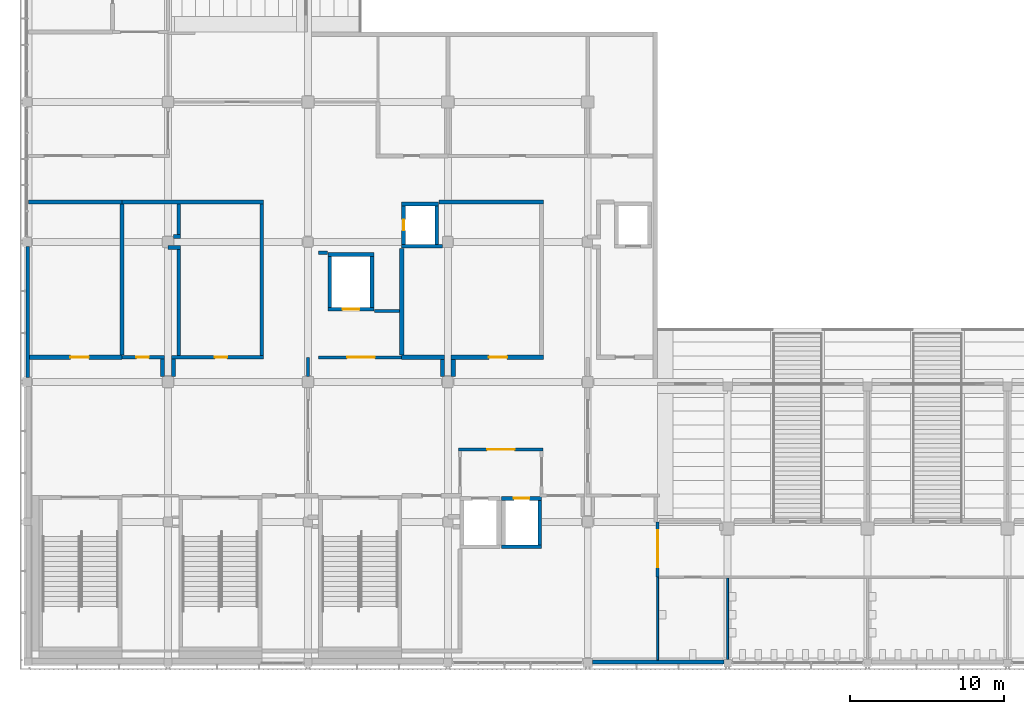
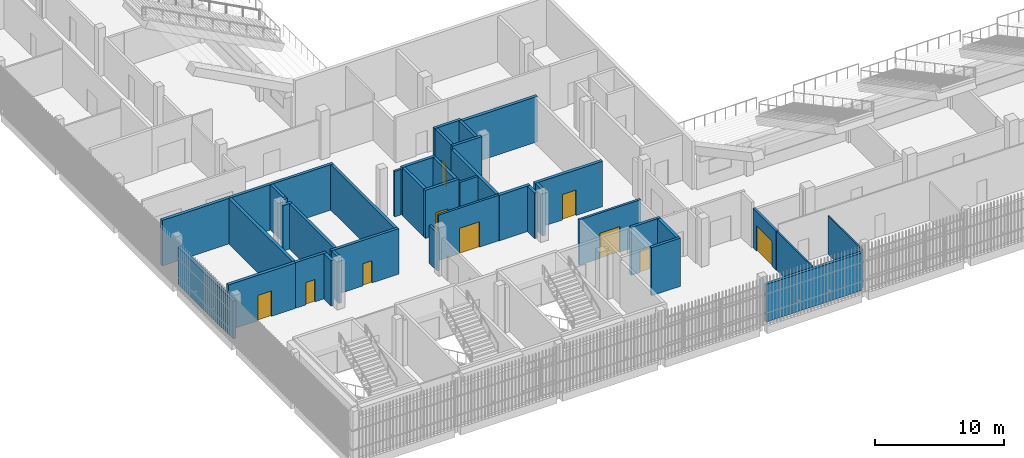
# One storey, part 74 of 139: 40 walls, 10 doors, 10 openings.
"""IFC4 building model written with IfcOpenShell, lengths in metres."""

from ifc_helpers import new_model, si_unit, direction, frame, frame_2d, origin, place, context, subcontext, project, spatial, rectangle, extrude, material, layer, layer_set, type_object, element, fill, save


model = new_model("IFC4")

# Units and contexts
model_context = context("Model", 3, precision=1e-05, world=origin(), true_north=direction((0.0, 1.0)))
body_context = subcontext(model_context, "Body", "Model", "MODEL_VIEW")
ifc_project = project(units=[si_unit("LENGTHUNIT", "METRE"), si_unit("AREAUNIT", "SQUARE_METRE"), si_unit("VOLUMEUNIT", "CUBIC_METRE"), si_unit("PLANEANGLEUNIT", "RADIAN"), si_unit("MASSUNIT", "GRAM", prefix="KILO")], contexts=[model_context])

# Site, building, storey
site_placement = place(None, origin())
site = spatial("IfcSite", under=ifc_project, at=site_placement, CompositionType="ELEMENT")
building_placement = place(site_placement, origin())
building = spatial("IfcBuilding", under=site, at=building_placement, Name="Shirokan Park Arena", CompositionType="ELEMENT")
storey_placement = place(building_placement, frame((0.0, 0.0, 15.469970703125)))
storey = spatial("IfcBuildingStorey", under=building, at=storey_placement, Name="L03", CompositionType="ELEMENT", Elevation=15.469970703125)

# Wall, opening, door
ifc_material_1 = material(Name="Plaster")
ifc_layer_1 = layer(ifc_material_1, 0.014892578125, Name="Plaster")
ifc_material_2 = material(Name="Concrete blockwork", Category="masonry")
ifc_layer_2 = layer(ifc_material_2, 0.219970703125, Name="Concrete blockwork 220")
ifc_layer_3 = layer(ifc_material_1, 0.014892578125, Name="Plaster")
ifc_layer_set_1 = layer_set([ifc_layer_1, ifc_layer_2, ifc_layer_3], Name="Plaster + Concrete blockwork 220")
wall_type_1 = type_object("IfcWallType", Name="Compartment wall 250", PredefinedType="SOLIDWALL", material=ifc_layer_set_1)
wall_1_placement = place(storey_placement, frame((6.10009765625, 19.800048828125, 0.0), z_axis=(0.0, 0.0, 1.0), x_axis=(1.0, 0.0, 0.0)))
wall_1 = element("IfcWall", 1, at=wall_1_placement, inside=storey, type_object=wall_type_1, Name="Compartment wall 250 L03", PredefinedType="SOLIDWALL", context=body_context, shape_type="SweptSolid", body=[
    extrude(rectangle(XDim=2.77490234375, YDim=0.25, at=frame_2d((1.387451171875, 0.0))), origin(), (0.0, 0.0, 1.0), 4.300048828125),
])
opening_1_placement = place(wall_1_placement, frame((0.949951171875, 0.0, 0.0)))
opening_1 = element("IfcOpeningElement", 2, at=opening_1_placement, cuts=wall_1, Name="Opening D-3001", PredefinedType="OPENING", context=body_context, shape_type="SweptSolid", body=[
    extrude(rectangle(XDim=0.800048828125, YDim=2.10009765625, at=frame_2d((0.39990234375, 1.050048828125))), frame((0.0, 0.135009765625, 0.0), z_axis=(0.0, -1.0, 0.0), x_axis=(1.0, 0.0, 0.0)), (0.0, 0.0, 1.0), 0.27001953125),
])
ifc_material_3 = material(Name="Timber door set, fire resisting", Category="wood")
door_type_1 = type_object("IfcDoorType", Name="Cleaner store door 800 x 2100", OperationType="SINGLE_SWING_LEFT", PredefinedType="DOOR", material=ifc_material_3)
door_1_placement = place(opening_1_placement, origin())
door_1 = element("IfcDoor", 3, at=door_1_placement, inside=storey, type_object=door_type_1, Name="Door to Cleaner's Store 3.17 D-3001", OperationType="SINGLE_SWING_RIGHT", OverallHeight=2.10009765625, OverallWidth=0.800048828125, PredefinedType="DOOR", context=body_context, shape_type="SweptSolid", body=[
    extrude(rectangle(XDim=0.800048828125, YDim=2.10009765625, at=frame_2d((0.39990234375, 1.050048828125))), frame((0.0, 0.02490234375, 0.0), z_axis=(0.0, -1.0, 0.0), x_axis=(1.0, 0.0, 0.0)), (0.0, 0.0, 1.0), 0.050048828125),
])
fill(opening_1, door_1)

# Walls
wall_2_placement = place(storey_placement, frame((6.10009765625, 29.89990234375, 0.0), z_axis=(0.0, 0.0, 1.0), x_axis=(1.0, 0.0, 0.0)))
element("IfcWall", 4, at=wall_2_placement, inside=storey, type_object=wall_type_1, Name="Compartment wall 250 L03", PredefinedType="SOLIDWALL", context=body_context, shape_type="SweptSolid", body=[
    extrude(rectangle(XDim=9.224853515625, YDim=0.25, at=frame_2d((4.6123046875, 0.0))), origin(), (0.0, 0.0, 1.0), 4.300048828125),
])
wall_3_placement = place(storey_placement, frame((8.75, 19.675048828125, 0.0), z_axis=(0.0, 0.0, 1.0), x_axis=(0.0, -1.0, 0.0)))
element("IfcWall", 5, at=wall_3_placement, inside=storey, type_object=wall_type_1, Name="Compartment wall 250 L03", PredefinedType="SOLIDWALL", context=body_context, shape_type="SweptSolid", body=[
    extrude(rectangle(XDim=1.125, YDim=0.25, at=frame_2d((0.5625, 0.0))), origin(), (0.0, 0.0, 1.0), 4.300048828125),
])
wall_4_placement = place(storey_placement, frame((9.10009765625, 26.949951171875, 0.0), z_axis=(0.0, 0.0, 1.0), x_axis=(1.0, 0.0, 0.0)))
element("IfcWall", 6, at=wall_4_placement, inside=storey, type_object=wall_type_1, Name="Compartment wall 250 L03", PredefinedType="SOLIDWALL", context=body_context, shape_type="SweptSolid", body=[
    extrude(rectangle(XDim=0.824951171875, YDim=0.25, at=frame_2d((0.41259765625, 0.0))), origin(), (0.0, 0.0, 1.0), 4.300048828125),
])

# Wall, opening, door
wall_5_placement = place(storey_placement, frame((9.324951171875, 19.800048828125, 0.0), z_axis=(0.0, 0.0, 1.0), x_axis=(1.0, 0.0, 0.0)))
wall_5 = element("IfcWall", 7, at=wall_5_placement, inside=storey, type_object=wall_type_1, Name="Compartment wall 250 L03", PredefinedType="SOLIDWALL", context=body_context, shape_type="SweptSolid", body=[
    extrude(rectangle(XDim=6.0, YDim=0.25, at=frame_2d((3.0, 0.0))), origin(), (0.0, 0.0, 1.0), 4.300048828125),
])
opening_2_placement = place(wall_5_placement, frame((2.824951171875, 0.0, 0.0)))
opening_2 = element("IfcOpeningElement", 8, at=opening_2_placement, cuts=wall_5, Name="Opening D-3005", PredefinedType="OPENING", context=body_context, shape_type="SweptSolid", body=[
    extrude(rectangle(XDim=0.800048828125, YDim=2.10009765625, at=frame_2d((0.39990234375, 1.050048828125))), frame((0.0, 0.135009765625, 0.0), z_axis=(0.0, -1.0, 0.0), x_axis=(1.0, 0.0, 0.0)), (0.0, 0.0, 1.0), 0.27001953125),
])
door_2_placement = place(opening_2_placement, origin())
door_2 = element("IfcDoor", 9, at=door_2_placement, inside=storey, type_object=door_type_1, Name="Door to Cleaner's Store 3.16 D-3005", OperationType="SINGLE_SWING_RIGHT", OverallHeight=2.10009765625, OverallWidth=0.800048828125, PredefinedType="DOOR", context=body_context, shape_type="SweptSolid", body=[
    extrude(rectangle(XDim=0.800048828125, YDim=2.10009765625, at=frame_2d((0.39990234375, 1.050048828125))), frame((0.0, 0.02490234375, 0.0), z_axis=(0.0, -1.0, 0.0), x_axis=(1.0, 0.0, 0.0)), (0.0, 0.0, 1.0), 0.050048828125),
])
fill(opening_2, door_2)

# Walls
wall_6_placement = place(storey_placement, frame((9.449951171875, 18.550048828125, 0.0), z_axis=(0.0, 0.0, 1.0), x_axis=(0.0, 1.0, 0.0)))
element("IfcWall", 10, at=wall_6_placement, inside=storey, type_object=wall_type_1, Name="Compartment wall 250 L03", PredefinedType="SOLIDWALL", context=body_context, shape_type="SweptSolid", body=[
    extrude(rectangle(XDim=1.125, YDim=0.25, at=frame_2d((0.5625, 0.0))), origin(), (0.0, 0.0, 1.0), 4.300048828125),
])
wall_7_placement = place(storey_placement, frame((9.449951171875, 27.64990234375, 0.0), z_axis=(0.0, 0.0, 1.0), x_axis=(1.0, 0.0, 0.0)))
element("IfcWall", 11, at=wall_7_placement, inside=storey, type_object=wall_type_1, Name="Compartment wall 250 L03", PredefinedType="SOLIDWALL", context=body_context, shape_type="SweptSolid", body=[
    extrude(rectangle(XDim=0.47509765625, YDim=0.25, at=frame_2d((0.237548828125, 0.0))), origin(), (0.0, 0.0, 1.0), 4.300048828125),
])
wall_8_placement = place(storey_placement, frame((9.800048828125, 19.925048828125, 0.0), z_axis=(0.0, 0.0, 1.0), x_axis=(0.0, 1.0, 0.0)))
element("IfcWall", 12, at=wall_8_placement, inside=storey, type_object=wall_type_1, Name="Compartment wall 250 L03", PredefinedType="SOLIDWALL", context=body_context, shape_type="SweptSolid", body=[
    extrude(rectangle(XDim=6.89990234375, YDim=0.25, at=frame_2d((3.449951171875, 0.0))), origin(), (0.0, 0.0, 1.0), 4.300048828125),
])
wall_9_placement = place(storey_placement, frame((9.800048828125, 27.77490234375, 0.0), z_axis=(0.0, 0.0, 1.0), x_axis=(0.0, 1.0, 0.0)))
element("IfcWall", 13, at=wall_9_placement, inside=storey, type_object=wall_type_1, Name="Compartment wall 250 L03", PredefinedType="SOLIDWALL", context=body_context, shape_type="SweptSolid", body=[
    extrude(rectangle(XDim=2.0, YDim=0.25, at=frame_2d((1.0, 0.0))), origin(), (0.0, 0.0, 1.0), 4.300048828125),
])
wall_10_placement = place(storey_placement, frame((15.199951171875, 29.77490234375, 0.0), z_axis=(0.0, 0.0, 1.0), x_axis=(0.0, -1.0, 0.0)))
element("IfcWall", 14, at=wall_10_placement, inside=storey, type_object=wall_type_1, Name="Compartment wall 250 L03", PredefinedType="SOLIDWALL", context=body_context, shape_type="SweptSolid", body=[
    extrude(rectangle(XDim=9.849853515625, YDim=0.25, at=frame_2d((4.9248046875, 0.0))), origin(), (0.0, 0.0, 1.0), 4.300048828125),
])
ifc_material_4 = material(Name="Gypsum board")
ifc_layer_4 = layer(ifc_material_4, 0.02490234375, Name="Gypsum board, two layers")
ifc_material_5 = material(Name="Mineral wool insulation")
ifc_layer_5 = layer(ifc_material_5, 0.14990234375, Name="Mineral wool insulation")
ifc_layer_6 = layer(ifc_material_4, 0.02490234375, Name="Gypsum board, two layers")
ifc_layer_set_2 = layer_set([ifc_layer_4, ifc_layer_5, ifc_layer_6], Name="Gypsum board, two layers + Mineral wool insulation")
wall_type_2 = type_object("IfcWallType", Name="Corridor wall 200", PredefinedType="PARTITIONING", material=ifc_layer_set_2)
wall_11_placement = place(storey_placement, frame((18.199951171875, 19.800048828125, 0.0), z_axis=(0.0, 0.0, 1.0), x_axis=(0.0, -1.0, 0.0)))
element("IfcWall", 15, at=wall_11_placement, inside=storey, type_object=wall_type_2, Name="Corridor wall 200 L03", PredefinedType="PARTITIONING", context=body_context, shape_type="SweptSolid", body=[
    extrude(rectangle(XDim=1.25, YDim=0.199951171875, at=frame_2d((0.625, 0.0))), origin(), (0.0, 0.0, 1.0), 3.550048828125),
])

# Wall, opening, door
wall_12_placement = place(storey_placement, frame((18.89990234375, 19.800048828125, 0.0), z_axis=(0.0, 0.0, 1.0), x_axis=(1.0, 0.0, 0.0)))
wall_12 = element("IfcWall", 16, at=wall_12_placement, inside=storey, type_object=wall_type_2, Name="Corridor wall 200 L03", PredefinedType="PARTITIONING", context=body_context, shape_type="SweptSolid", body=[
    extrude(rectangle(XDim=5.400146484375, YDim=0.199951171875, at=frame_2d((2.7001953125, 0.0))), origin(), (0.0, 0.0, 1.0), 4.300048828125),
])
opening_3_placement = place(wall_12_placement, frame((1.85009765625, 0.0, 0.0)))
opening_3 = element("IfcOpeningElement", 17, at=opening_3_placement, cuts=wall_12, Name="Opening D-3091", PredefinedType="OPENING", context=body_context, shape_type="SweptSolid", body=[
    extrude(rectangle(XDim=1.800048828125, YDim=2.39990234375, at=frame_2d((0.89990234375, 1.199951171875))), frame((0.0, 0.10986328125, 0.0), z_axis=(0.0, -1.0, 0.0), x_axis=(1.0, 0.0, 0.0)), (0.0, 0.0, 1.0), 0.219970703125),
])
ifc_material_6 = material(Name="Glazed steel door set, fire resisting", Category="steel")
door_type_2 = type_object("IfcDoorType", Name="Lift lobby door 1800 x 2400", OperationType="DOUBLE_DOOR_SINGLE_SWING", PredefinedType="DOOR", material=ifc_material_6)
door_3_placement = place(opening_3_placement, origin())
door_3 = element("IfcDoor", 18, at=door_3_placement, inside=storey, type_object=door_type_2, Name="Door between Press Foyer 1.3.2 and Service Lift Lobby 1.3 D-3091", OperationType="DOUBLE_DOOR_SINGLE_SWING", OverallHeight=2.39990234375, OverallWidth=1.800048828125, PredefinedType="DOOR", context=body_context, shape_type="SweptSolid", body=[
    extrude(rectangle(XDim=1.800048828125, YDim=2.39990234375, at=frame_2d((0.89990234375, 1.199951171875))), frame((0.0, 0.02490234375, 0.0), z_axis=(0.0, -1.0, 0.0), x_axis=(1.0, 0.0, 0.0)), (0.0, 0.0, 1.0), 0.050048828125),
])
fill(opening_3, door_3)

# Walls
wall_13_placement = place(storey_placement, frame((18.89990234375, 26.60009765625, 0.0), z_axis=(0.0, 0.0, 1.0), x_axis=(1.0, 0.0, 0.0)))
element("IfcWall", 19, at=wall_13_placement, inside=storey, type_object=wall_type_2, Name="Corridor wall 200 L03", PredefinedType="PARTITIONING", context=body_context, shape_type="SweptSolid", body=[
    extrude(rectangle(XDim=0.570068359375, YDim=0.199951171875, at=frame_2d((0.28515625, 0.0))), origin(), (0.0, 0.0, 1.0), 4.300048828125),
])
wall_14_placement = place(storey_placement, frame((22.530029296875, 22.800048828125, 0.0), z_axis=(0.0, 0.0, 1.0), x_axis=(1.0, 0.0, 0.0)))
element("IfcWall", 20, at=wall_14_placement, inside=storey, type_object=wall_type_2, Name="Corridor wall 200 L03", PredefinedType="PARTITIONING", context=body_context, shape_type="SweptSolid", body=[
    extrude(rectangle(XDim=1.632568359375, YDim=0.199951171875, at=frame_2d((0.81640625, 0.0))), origin(), (0.0, 0.0, 1.0), 4.300048828125),
])

# Wall, opening, door
wall_15_placement = place(storey_placement, frame((33.5, 13.800048828125, 0.0), z_axis=(0.0, 0.0, 1.0), x_axis=(-1.0, 0.0, 0.0)))
wall_15 = element("IfcWall", 21, at=wall_15_placement, inside=storey, type_object=wall_type_2, Name="Corridor wall 200 L03", PredefinedType="PARTITIONING", context=body_context, shape_type="SweptSolid", body=[
    extrude(rectangle(XDim=5.5, YDim=0.199951171875, at=frame_2d((2.75, 0.0))), origin(), (0.0, 0.0, 1.0), 4.300048828125),
])
opening_4_placement = place(wall_15_placement, frame((1.85009765625, 0.0, 0.0)))
opening_4 = element("IfcOpeningElement", 22, at=opening_4_placement, cuts=wall_15, Name="Opening D-3088", PredefinedType="OPENING", context=body_context, shape_type="SweptSolid", body=[
    extrude(rectangle(XDim=1.800048828125, YDim=2.39990234375, at=frame_2d((0.89990234375, 1.199951171875))), frame((0.0, 0.10986328125, 0.0), z_axis=(0.0, -1.0, 0.0), x_axis=(1.0, 0.0, 0.0)), (0.0, 0.0, 1.0), 0.219970703125),
])
door_4_placement = place(opening_4_placement, origin())
door_4 = element("IfcDoor", 23, at=door_4_placement, inside=storey, type_object=door_type_2, Name="Door between Press Foyer 1.3.2 and Lift Lobby 1.3 D-3088", OperationType="DOUBLE_DOOR_SINGLE_SWING", OverallHeight=2.39990234375, OverallWidth=1.800048828125, PredefinedType="DOOR", context=body_context, shape_type="SweptSolid", body=[
    extrude(rectangle(XDim=1.800048828125, YDim=2.39990234375, at=frame_2d((0.89990234375, 1.199951171875))), frame((0.0, 0.02490234375, 0.0), z_axis=(0.0, -1.0, 0.0), x_axis=(1.0, 0.0, 0.0)), (0.0, 0.0, 1.0), 0.050048828125),
])
fill(opening_4, door_4)

wall_16_placement = place(storey_placement, frame((40.949951171875, 9.10009765625, 0.0), z_axis=(0.0, 0.0, 1.0), x_axis=(0.0, -1.0, 0.0)))
wall_16 = element("IfcWall", 24, at=wall_16_placement, inside=storey, type_object=wall_type_2, Name="Corridor wall 200 L03", PredefinedType="PARTITIONING", context=body_context, shape_type="SweptSolid", body=[
    extrude(rectangle(XDim=3.60009765625, YDim=0.199951171875, at=frame_2d((1.800048828125, 0.0))), origin(), (0.0, 0.0, 1.0), 3.699951171875),
])
opening_5_placement = place(wall_16_placement, frame((0.550048828125, 0.0, 0.0)))
opening_5 = element("IfcOpeningElement", 25, at=opening_5_placement, cuts=wall_16, Name="Opening D-3095", PredefinedType="OPENING", context=body_context, shape_type="SweptSolid", body=[
    extrude(rectangle(XDim=2.39990234375, YDim=2.39990234375, at=frame_2d((1.199951171875, 1.199951171875))), frame((0.0, 0.10986328125, 0.0), z_axis=(0.0, -1.0, 0.0), x_axis=(1.0, 0.0, 0.0)), (0.0, 0.0, 1.0), 0.219970703125),
])
ifc_material_7 = material(Name="Steel door set, fire resisting", Category="steel")
door_type_3 = type_object("IfcDoorType", Name="Double door 2400 x 2400", OperationType="DOUBLE_DOOR_SINGLE_SWING", PredefinedType="DOOR", material=ifc_material_7)
door_5_placement = place(opening_5_placement, origin())
door_5 = element("IfcDoor", 26, at=door_5_placement, inside=storey, type_object=door_type_3, Name="Door between Ring Link 1.3 and Suite Corridor 3.01 D-3095", OperationType="DOUBLE_DOOR_SINGLE_SWING", OverallHeight=2.39990234375, OverallWidth=2.39990234375, PredefinedType="DOOR", context=body_context, shape_type="SweptSolid", body=[
    extrude(rectangle(XDim=2.39990234375, YDim=2.39990234375, at=frame_2d((1.199951171875, 1.199951171875))), frame((0.0, 0.02490234375, 0.0), z_axis=(0.0, -1.0, 0.0), x_axis=(1.0, 0.0, 0.0)), (0.0, 0.0, 1.0), 0.050048828125),
])
fill(opening_5, door_5)

# Wall
ifc_layer_7 = layer(ifc_material_1, 0.012451171875, Name="Plaster")
ifc_layer_8 = layer(ifc_material_2, 0.25, Name="Concrete blockwork 250")
ifc_layer_9 = layer(ifc_material_1, 0.012451171875, Name="Plaster")
ifc_layer_set_3 = layer_set([ifc_layer_7, ifc_layer_8, ifc_layer_9], Name="Plaster + Concrete blockwork 250")
wall_type_3 = type_object("IfcWallType", Name="Plant room wall 275", PredefinedType="SOLIDWALL", material=ifc_layer_set_3)
wall_17_placement = place(storey_placement, frame((0.030029296875, 29.89990234375, 0.0), z_axis=(0.0, 0.0, 1.0), x_axis=(1.0, 0.0, 0.0)))
element("IfcWall", 27, at=wall_17_placement, inside=storey, type_object=wall_type_3, Name="Plant room wall 275 L03", PredefinedType="SOLIDWALL", context=body_context, shape_type="SweptSolid", body=[
    extrude(rectangle(XDim=6.070068359375, YDim=0.27490234375, at=frame_2d((3.03515625, 0.0))), origin(), (0.0, 0.0, 1.0), 4.300048828125),
])

# Wall, opening, door
wall_18_placement = place(storey_placement, frame((0.10009765625, 19.800048828125, 0.0), z_axis=(0.0, 0.0, 1.0), x_axis=(1.0, 0.0, 0.0)))
wall_18 = element("IfcWall", 28, at=wall_18_placement, inside=storey, type_object=wall_type_3, Name="Plant room wall 275 L03", PredefinedType="SOLIDWALL", context=body_context, shape_type="SweptSolid", body=[
    extrude(rectangle(XDim=6.0, YDim=0.27490234375, at=frame_2d((3.0, 0.0))), origin(), (0.0, 0.0, 1.0), 4.300048828125),
])
opening_6_placement = place(wall_18_placement, frame((2.64990234375, 0.0, 0.0)))
opening_6 = element("IfcOpeningElement", 29, at=opening_6_placement, cuts=wall_18, Name="Opening D-3004", PredefinedType="OPENING", context=body_context, shape_type="SweptSolid", body=[
    extrude(rectangle(XDim=1.199951171875, YDim=2.39990234375, at=frame_2d((0.60009765625, 1.199951171875))), frame((0.0, 0.1474609375, 0.0), z_axis=(0.0, -1.0, 0.0), x_axis=(1.0, 0.0, 0.0)), (0.0, 0.0, 1.0), 0.294921875),
])
ifc_material_8 = material(Name="Louvred steel door set, fire resisting", Category="steel")
door_type_4 = type_object("IfcDoorType", Name="Plant room door 1200 x 2400", OperationType="SINGLE_SWING_LEFT", PredefinedType="DOOR", material=ifc_material_8)
door_6_placement = place(opening_6_placement, origin())
door_6 = element("IfcDoor", 30, at=door_6_placement, inside=storey, type_object=door_type_4, Name="Door to Communications Room 3.15 D-3004", OperationType="SINGLE_SWING_RIGHT", OverallHeight=2.39990234375, OverallWidth=1.199951171875, PredefinedType="DOOR", context=body_context, shape_type="SweptSolid", body=[
    extrude(rectangle(XDim=1.199951171875, YDim=2.39990234375, at=frame_2d((0.60009765625, 1.199951171875))), frame((0.0, 0.02490234375, 0.0), z_axis=(0.0, -1.0, 0.0), x_axis=(1.0, 0.0, 0.0)), (0.0, 0.0, 1.0), 0.050048828125),
])
fill(opening_6, door_6)

# Walls
wall_19_placement = place(storey_placement, frame((6.10009765625, 29.762451171875, 0.0), z_axis=(0.0, 0.0, 1.0), x_axis=(0.0, -1.0, 0.0)))
element("IfcWall", 31, at=wall_19_placement, inside=storey, type_object=wall_type_3, Name="Plant room wall 275 L03", PredefinedType="SOLIDWALL", context=body_context, shape_type="SweptSolid", body=[
    extrude(rectangle(XDim=9.824951171875, YDim=0.27490234375, at=frame_2d((4.91259765625, 0.0))), origin(), (0.0, 0.0, 1.0), 4.300048828125),
])
wall_20_placement = place(storey_placement, frame((24.300048828125, 19.800048828125, 0.0), z_axis=(0.0, 0.0, 1.0), x_axis=(1.0, 0.0, 0.0)))
element("IfcWall", 32, at=wall_20_placement, inside=storey, type_object=wall_type_3, Name="Plant room wall 275 L03", PredefinedType="SOLIDWALL", context=body_context, shape_type="SweptSolid", body=[
    extrude(rectangle(XDim=2.787353515625, YDim=0.27490234375, at=frame_2d((1.3935546875, 0.0))), origin(), (0.0, 0.0, 1.0), 4.300048828125),
])
wall_21_placement = place(storey_placement, frame((24.300048828125, 19.9375, 0.0), z_axis=(0.0, 0.0, 1.0), x_axis=(0.0, 1.0, 0.0)))
element("IfcWall", 33, at=wall_21_placement, inside=storey, type_object=wall_type_3, Name="Plant room wall 275 L03", PredefinedType="SOLIDWALL", context=body_context, shape_type="SweptSolid", body=[
    extrude(rectangle(XDim=6.9326171875, YDim=0.27490234375, at=frame_2d((3.46630859375, 0.0))), origin(), (0.0, 0.0, 1.0), 4.300048828125),
])
wall_22_placement = place(storey_placement, frame((26.72998046875, 29.89990234375, 0.0), z_axis=(0.0, 0.0, 1.0), x_axis=(1.0, 0.0, 0.0)))
element("IfcWall", 34, at=wall_22_placement, inside=storey, type_object=wall_type_3, Name="Plant room wall 275 L03", PredefinedType="SOLIDWALL", context=body_context, shape_type="SweptSolid", body=[
    extrude(rectangle(XDim=6.8076171875, YDim=0.27490234375, at=frame_2d((3.40380859375, 0.0))), origin(), (0.0, 0.0, 1.0), 4.300048828125),
])
wall_23_placement = place(storey_placement, frame((26.949951171875, 19.66259765625, 0.0), z_axis=(0.0, 0.0, 1.0), x_axis=(0.0, -1.0, 0.0)))
element("IfcWall", 35, at=wall_23_placement, inside=storey, type_object=wall_type_3, Name="Plant room wall 275 L03", PredefinedType="SOLIDWALL", context=body_context, shape_type="SweptSolid", body=[
    extrude(rectangle(XDim=1.112548828125, YDim=0.27490234375, at=frame_2d((0.55615234375, 0.0))), origin(), (0.0, 0.0, 1.0), 4.300048828125),
])

# Wall, opening, door
wall_24_placement = place(storey_placement, frame((27.512451171875, 19.800048828125, 0.0), z_axis=(0.0, 0.0, 1.0), x_axis=(1.0, 0.0, 0.0)))
wall_24 = element("IfcWall", 36, at=wall_24_placement, inside=storey, type_object=wall_type_3, Name="Plant room wall 275 L03", PredefinedType="SOLIDWALL", context=body_context, shape_type="SweptSolid", body=[
    extrude(rectangle(XDim=6.025146484375, YDim=0.27490234375, at=frame_2d((3.0126953125, 0.0))), origin(), (0.0, 0.0, 1.0), 4.300048828125),
])
opening_7_placement = place(wall_24_placement, frame((2.449951171875, 0.0, 0.0)))
opening_7 = element("IfcOpeningElement", 37, at=opening_7_placement, cuts=wall_24, Name="Opening D-3002", PredefinedType="OPENING", context=body_context, shape_type="SweptSolid", body=[
    extrude(rectangle(XDim=1.199951171875, YDim=2.39990234375, at=frame_2d((0.60009765625, 1.199951171875))), frame((0.0, 0.1474609375, 0.0), z_axis=(0.0, -1.0, 0.0), x_axis=(1.0, 0.0, 0.0)), (0.0, 0.0, 1.0), 0.294921875),
])
door_7_placement = place(opening_7_placement, origin())
door_7 = element("IfcDoor", 38, at=door_7_placement, inside=storey, type_object=door_type_4, Name="Door to Electrical Room 3.18 D-3002", OperationType="SINGLE_SWING_LEFT", OverallHeight=2.39990234375, OverallWidth=1.199951171875, PredefinedType="DOOR", context=body_context, shape_type="SweptSolid", body=[
    extrude(rectangle(XDim=1.199951171875, YDim=2.39990234375, at=frame_2d((0.60009765625, 1.199951171875))), frame((0.0, 0.02490234375, 0.0), z_axis=(0.0, -1.0, 0.0), x_axis=(1.0, 0.0, 0.0)), (0.0, 0.0, 1.0), 0.050048828125),
])
fill(opening_7, door_7)

# Walls
wall_25_placement = place(storey_placement, frame((27.64990234375, 18.550048828125, 0.0), z_axis=(0.0, 0.0, 1.0), x_axis=(0.0, 1.0, 0.0)))
element("IfcWall", 39, at=wall_25_placement, inside=storey, type_object=wall_type_3, Name="Plant room wall 275 L03", PredefinedType="SOLIDWALL", context=body_context, shape_type="SweptSolid", body=[
    extrude(rectangle(XDim=1.112548828125, YDim=0.27490234375, at=frame_2d((0.55615234375, 0.0))), origin(), (0.0, 0.0, 1.0), 4.300048828125),
])
ifc_material_9 = material(Name="Concrete C40/50 precast", Category="concrete")
ifc_layer_10 = layer(ifc_material_9, 0.10009765625, Name="Concrete C40/50 precast")
ifc_layer_11 = layer(ifc_material_5, 0.10009765625, Name="Mineral wool insulation")
ifc_material_10 = material(Name="Gypsum board lining")
ifc_layer_12 = layer(ifc_material_10, 0.050048828125, Name="Gypsum board lining")
ifc_layer_set_4 = layer_set([ifc_layer_10, ifc_layer_11, ifc_layer_12], Name="Concrete C40/50 precast + Mineral wool insulation + Gypsum board lining")
wall_type_4 = type_object("IfcWallType", Name="Precast concrete panel wall 250", PredefinedType="SOLIDWALL", material=ifc_layer_set_4)
wall_26_placement = place(storey_placement, frame((36.699951171875, -0.02490234375, 0.0), z_axis=(0.0, 0.0, 1.0), x_axis=(1.0, 0.0, 0.0)))
element("IfcWall", 40, at=wall_26_placement, inside=storey, type_object=wall_type_4, Name="South facade wall bay 5 L03", PredefinedType="SOLIDWALL", context=body_context, shape_type="SweptSolid", body=[
    extrude(rectangle(XDim=8.550048828125, YDim=0.25, at=frame_2d((4.27490234375, 0.0))), origin(), (0.0, 0.0, 1.0), 3.550048828125),
])
wall_27_placement = place(storey_placement, frame((-0.02490234375, 27.0, 0.0), z_axis=(0.0, 0.0, 1.0), x_axis=(0.0, -1.0, 0.0)))
element("IfcWall", 41, at=wall_27_placement, inside=storey, type_object=wall_type_4, Name="West facade wall bay 10 L03", PredefinedType="SOLIDWALL", context=body_context, shape_type="SweptSolid", body=[
    extrude(rectangle(XDim=8.5, YDim=0.25, at=frame_2d((4.25, 0.0))), origin(), (0.0, 0.0, 1.0), 3.550048828125),
])
ifc_material_11 = material(Name="Concrete C40/50", Category="concrete")
ifc_layer_13 = layer(ifc_material_11, 0.25)
ifc_layer_set_5 = layer_set([ifc_layer_13], Name="Concrete C40/50 250 mm")
wall_type_5 = type_object("IfcWallType", Name="RC shear wall 250", PredefinedType="SHEAR", material=ifc_layer_set_5)
wall_28_placement = place(storey_placement, frame((33.39990234375, 7.47509765625, 0.0), z_axis=(0.0, 0.0, 1.0), x_axis=(-1.0, 0.0, 0.0)))
element("IfcWall", 42, at=wall_28_placement, inside=storey, type_object=wall_type_5, Name="Shaft wall Passenger Lift 1.2 S L03", PredefinedType="SHEAR", context=body_context, shape_type="SweptSolid", body=[
    extrude(rectangle(XDim=2.599853515625, YDim=0.25, at=frame_2d((1.2998046875, 0.0))), origin(), (0.0, 0.0, 1.0), 4.550048828125),
])

# Wall, opening, door
wall_29_placement = place(storey_placement, frame((33.39990234375, 10.625, 0.0), z_axis=(0.0, 0.0, 1.0), x_axis=(-1.0, 0.0, 0.0)))
wall_29 = element("IfcWall", 43, at=wall_29_placement, inside=storey, type_object=wall_type_5, Name="Shaft wall Passenger Lift 1.2 N L03", PredefinedType="SHEAR", context=body_context, shape_type="SweptSolid", body=[
    extrude(rectangle(XDim=2.599853515625, YDim=0.25, at=frame_2d((1.2998046875, 0.0))), origin(), (0.0, 0.0, 1.0), 4.550048828125),
])
opening_8_placement = place(wall_29_placement, frame((0.800048828125, 0.0, 0.0)))
opening_8 = element("IfcOpeningElement", 44, at=opening_8_placement, cuts=wall_29, Name="Opening LD10", PredefinedType="OPENING", context=body_context, shape_type="SweptSolid", body=[
    extrude(rectangle(XDim=1.0, YDim=2.10009765625, at=frame_2d((0.5, 1.050048828125))), frame((0.0, 0.135009765625, 0.0), z_axis=(0.0, -1.0, 0.0), x_axis=(1.0, 0.0, 0.0)), (0.0, 0.0, 1.0), 0.27001953125),
])
ifc_material_12 = material(Name="Stainless steel", Category="steel")
door_type_5 = type_object("IfcDoorType", Name="Lift landing door 1000x2100", OperationType="DOUBLE_DOOR_SLIDING", PredefinedType="DOOR", material=ifc_material_12)
door_8_placement = place(opening_8_placement, origin())
door_8 = element("IfcDoor", 45, at=door_8_placement, inside=storey, type_object=door_type_5, Name="Lift landing door Passenger Lift 1.2 L03", OperationType="DOUBLE_DOOR_SLIDING", OverallHeight=2.10009765625, OverallWidth=1.0, PredefinedType="DOOR", context=body_context, shape_type="SweptSolid", body=[
    extrude(rectangle(XDim=1.0, YDim=2.10009765625, at=frame_2d((0.5, 1.050048828125))), frame((0.0, 0.02490234375, 0.0), z_axis=(0.0, -1.0, 0.0), x_axis=(1.0, 0.0, 0.0)), (0.0, 0.0, 1.0), 0.050048828125),
])
fill(opening_8, door_8)

# Walls
wall_30_placement = place(storey_placement, frame((33.27490234375, 10.5, 0.0), z_axis=(0.0, 0.0, 1.0), x_axis=(0.0, -1.0, 0.0)))
element("IfcWall", 46, at=wall_30_placement, inside=storey, type_object=wall_type_5, Name="Shaft wall Passenger Lift 1.2 E L03", PredefinedType="SHEAR", context=body_context, shape_type="SweptSolid", body=[
    extrude(rectangle(XDim=2.89990234375, YDim=0.25, at=frame_2d((1.449951171875, 0.0))), origin(), (0.0, 0.0, 1.0), 4.550048828125),
])
wall_31_placement = place(storey_placement, frame((26.949951171875, 27.02490234375, 0.0), z_axis=(0.0, 0.0, 1.0), x_axis=(-1.0, 0.0, 0.0)))
element("IfcWall", 47, at=wall_31_placement, inside=storey, type_object=wall_type_5, Name="Shaft wall Services Riser 1.2 S L03", PredefinedType="SHEAR", context=body_context, shape_type="SweptSolid", body=[
    extrude(rectangle(XDim=2.64990234375, YDim=0.25, at=frame_2d((1.324951171875, 0.0))), origin(), (0.0, 0.0, 1.0), 4.550048828125),
])
wall_32_placement = place(storey_placement, frame((26.699951171875, 29.77490234375, 0.0), z_axis=(0.0, 0.0, 1.0), x_axis=(-1.0, 0.0, 0.0)))
element("IfcWall", 48, at=wall_32_placement, inside=storey, type_object=wall_type_5, Name="Shaft wall Services Riser 1.2 N L03", PredefinedType="SHEAR", context=body_context, shape_type="SweptSolid", body=[
    extrude(rectangle(XDim=2.39990234375, YDim=0.25, at=frame_2d((1.199951171875, 0.0))), origin(), (0.0, 0.0, 1.0), 4.550048828125),
])

# Wall, opening, door
wall_33_placement = place(storey_placement, frame((24.425048828125, 29.64990234375, 0.0), z_axis=(0.0, 0.0, 1.0), x_axis=(0.0, -1.0, 0.0)))
wall_33 = element("IfcWall", 49, at=wall_33_placement, inside=storey, type_object=wall_type_5, Name="Shaft wall Services Riser 1.2 W L03", PredefinedType="SHEAR", context=body_context, shape_type="SweptSolid", body=[
    extrude(rectangle(XDim=2.5, YDim=0.25, at=frame_2d((1.25, 0.0))), origin(), (0.0, 0.0, 1.0), 4.550048828125),
])
opening_9_placement = place(wall_33_placement, frame((0.89990234375, 0.0, 0.0)))
opening_9 = element("IfcOpeningElement", 50, at=opening_9_placement, cuts=wall_33, Name="Opening D-3139", PredefinedType="OPENING", context=body_context, shape_type="SweptSolid", body=[
    extrude(rectangle(XDim=0.699951171875, YDim=2.10009765625, at=frame_2d((0.35009765625, 1.050048828125))), frame((0.0, 0.135009765625, 0.0), z_axis=(0.0, -1.0, 0.0), x_axis=(1.0, 0.0, 0.0)), (0.0, 0.0, 1.0), 0.27001953125),
])
door_type_6 = type_object("IfcDoorType", Name="Mechanical riser door 700 x 2100", OperationType="SINGLE_SWING_LEFT", PredefinedType="DOOR", material=ifc_material_7)
door_9_placement = place(opening_9_placement, origin())
door_9 = element("IfcDoor", 51, at=door_9_placement, inside=storey, type_object=door_type_6, Name="Riser access door Services Riser 1.2 D-3139", OperationType="SINGLE_SWING_LEFT", OverallHeight=2.10009765625, OverallWidth=0.699951171875, PredefinedType="DOOR", context=body_context, shape_type="SweptSolid", body=[
    extrude(rectangle(XDim=0.699951171875, YDim=2.10009765625, at=frame_2d((0.35009765625, 1.050048828125))), frame((0.0, 0.02490234375, 0.0), z_axis=(0.0, -1.0, 0.0), x_axis=(1.0, 0.0, 0.0)), (0.0, 0.0, 1.0), 0.050048828125),
])
fill(opening_9, door_9)

# Wall
wall_34_placement = place(storey_placement, frame((26.574951171875, 29.64990234375, 0.0), z_axis=(0.0, 0.0, 1.0), x_axis=(0.0, -1.0, 0.0)))
element("IfcWall", 52, at=wall_34_placement, inside=storey, type_object=wall_type_5, Name="Shaft wall Services Riser 1.2 E L03", PredefinedType="SHEAR", context=body_context, shape_type="SweptSolid", body=[
    extrude(rectangle(XDim=2.5, YDim=0.25, at=frame_2d((1.25, 0.0))), origin(), (0.0, 0.0, 1.0), 4.550048828125),
])

# Wall, opening, door
wall_35_placement = place(storey_placement, frame((22.5, 22.925048828125, 0.0), z_axis=(0.0, 0.0, 1.0), x_axis=(-1.0, 0.0, 0.0)))
wall_35 = element("IfcWall", 53, at=wall_35_placement, inside=storey, type_object=wall_type_5, Name="Shaft wall Service Lift 1 S L03", PredefinedType="SHEAR", context=body_context, shape_type="SweptSolid", body=[
    extrude(rectangle(XDim=3.0, YDim=0.25, at=frame_2d((1.5, 0.0))), origin(), (0.0, 0.0, 1.0), 4.550048828125),
])
opening_10_placement = place(wall_35_placement, frame((0.949951171875, 0.0, 0.0)))
opening_10 = element("IfcOpeningElement", 54, at=opening_10_placement, cuts=wall_35, Name="Opening LD52", PredefinedType="OPENING", context=body_context, shape_type="SweptSolid", body=[
    extrude(rectangle(XDim=1.10009765625, YDim=2.10009765625, at=frame_2d((0.550048828125, 1.050048828125))), frame((0.0, 0.135009765625, 0.0), z_axis=(0.0, -1.0, 0.0), x_axis=(1.0, 0.0, 0.0)), (0.0, 0.0, 1.0), 0.27001953125),
])
door_type_7 = type_object("IfcDoorType", Name="Lift landing door 1100x2100", OperationType="DOUBLE_DOOR_SLIDING", PredefinedType="DOOR", material=ifc_material_12)
door_10_placement = place(opening_10_placement, origin())
door_10 = element("IfcDoor", 55, at=door_10_placement, inside=storey, type_object=door_type_7, Name="Lift landing door Service Lift 1 L03", OperationType="DOUBLE_DOOR_SLIDING", OverallHeight=2.10009765625, OverallWidth=1.10009765625, PredefinedType="DOOR", context=body_context, shape_type="SweptSolid", body=[
    extrude(rectangle(XDim=1.10009765625, YDim=2.10009765625, at=frame_2d((0.550048828125, 1.050048828125))), frame((0.0, 0.02490234375, 0.0), z_axis=(0.0, -1.0, 0.0), x_axis=(1.0, 0.0, 0.0)), (0.0, 0.0, 1.0), 0.050048828125),
])
fill(opening_10, door_10)

# Walls
wall_36_placement = place(storey_placement, frame((22.5, 26.47509765625, 0.0), z_axis=(0.0, 0.0, 1.0), x_axis=(-1.0, 0.0, 0.0)))
element("IfcWall", 56, at=wall_36_placement, inside=storey, type_object=wall_type_5, Name="Shaft wall Service Lift 1 N L03", PredefinedType="SHEAR", context=body_context, shape_type="SweptSolid", body=[
    extrude(rectangle(XDim=3.0, YDim=0.25, at=frame_2d((1.5, 0.0))), origin(), (0.0, 0.0, 1.0), 4.550048828125),
])
for number, where, z_axis, x_axis, name in (
    (57, (19.625, 26.35009765625, 0.0), (0.0, 0.0, 1.0), (0.0, -1.0, 0.0), "Shaft wall Service Lift 1 W L03"),
    (58, (22.375, 26.35009765625, 0.0), (0.0, 0.0, 1.0), (0.0, -1.0, 0.0), "Shaft wall Service Lift 1 E L03"),
):
    element("IfcWall", number, at=place(storey_placement, frame(where, z_axis=z_axis, x_axis=x_axis)), inside=storey, type_object=wall_type_5, Name=name, PredefinedType="SHEAR", context=body_context, shape_type="SweptSolid", body=[
        extrude(rectangle(XDim=3.300048828125, YDim=0.25, at=frame_2d((1.64990234375, 0.0))), origin(), (0.0, 0.0, 1.0), 4.550048828125),
    ])
ifc_material_13 = material(Name="Ceramic tile")
ifc_layer_14 = layer(ifc_material_13, 0.010009765625, Name="Ceramic tile")
ifc_material_14 = material(Name="Cement board")
ifc_layer_15 = layer(ifc_material_14, 0.012451171875, Name="Cement board")
ifc_layer_16 = layer(ifc_material_5, 0.080078125, Name="Mineral wool insulation")
ifc_layer_17 = layer(ifc_material_14, 0.012451171875, Name="Cement board")
ifc_layer_18 = layer(ifc_material_13, 0.010009765625, Name="Ceramic tile")
ifc_layer_set_6 = layer_set([ifc_layer_14, ifc_layer_15, ifc_layer_16, ifc_layer_17, ifc_layer_18], Name="Ceramic tile + Cement board + Mineral wool insulation")
wall_type_6 = type_object("IfcWallType", Name="Wet-area wall 125", PredefinedType="PARTITIONING", material=ifc_layer_set_6)
wall_37_placement = place(storey_placement, frame((40.949951171875, 0.10009765625, 0.0), z_axis=(0.0, 0.0, 1.0), x_axis=(0.0, 1.0, 0.0)))
element("IfcWall", 59, at=wall_37_placement, inside=storey, type_object=wall_type_6, Name="Wet-area wall 125 L03", PredefinedType="PARTITIONING", context=body_context, shape_type="SweptSolid", body=[
    extrude(rectangle(XDim=5.39990234375, YDim=0.125, at=frame_2d((2.699951171875, 0.0))), origin(), (0.0, 0.0, 1.0), 3.699951171875),
])
wall_38_placement = place(storey_placement, frame((45.5, 5.4375, 0.0), z_axis=(0.0, 0.0, 1.0), x_axis=(0.0, -1.0, 0.0)))
element("IfcWall", 60, at=wall_38_placement, inside=storey, type_object=wall_type_6, Name="Wet-area wall 125 L03", PredefinedType="PARTITIONING", context=body_context, shape_type="SweptSolid", body=[
    extrude(rectangle(XDim=5.28759765625, YDim=0.125, at=frame_2d((2.643798828125, 0.0))), origin(), (0.0, 0.0, 1.0), 3.60009765625),
])

save(model, "model.ifc")
